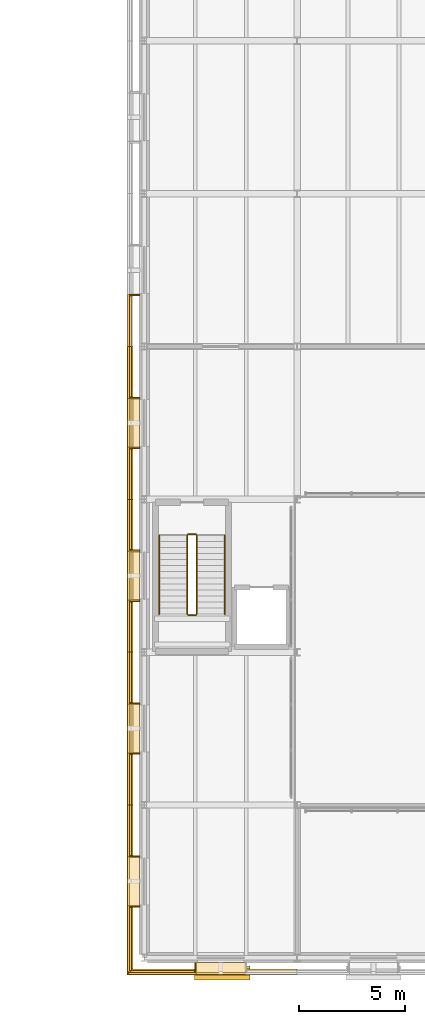
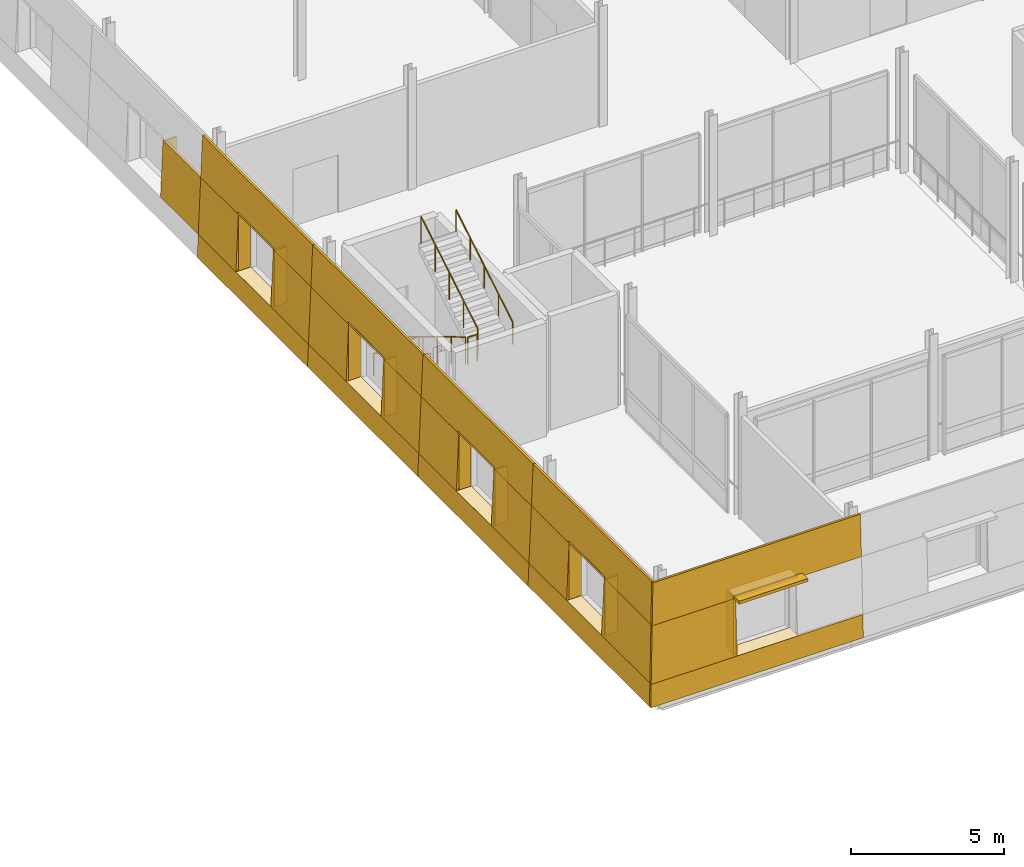
# One storey, part 105 of 121: 40 coverings, 6 railings, 1 shading device.
"""IFC4 building model written with IfcOpenShell, lengths in metres."""

from ifc_helpers import new_model, si_unit, direction, frame, origin, origin_2d, place, context, subcontext, project, spatial, polyline, rectangle, circle, outline, extrude, material, layer, layer_set, type_object, element, save


model = new_model("IFC4")

# Units and contexts
model_context = context("Model", 3, precision=1e-05, world=origin(), true_north=direction((0.0, 1.0)))
body_context = subcontext(model_context, "Body", "Model", "MODEL_VIEW")
ifc_project = project(units=[si_unit("LENGTHUNIT", "METRE"), si_unit("AREAUNIT", "SQUARE_METRE"), si_unit("VOLUMEUNIT", "CUBIC_METRE"), si_unit("PLANEANGLEUNIT", "RADIAN"), si_unit("MASSUNIT", "GRAM", prefix="KILO")], contexts=[model_context])

# Site, building, storey
site_placement = place(None, origin())
site = spatial("IfcSite", under=ifc_project, at=site_placement, CompositionType="ELEMENT")
building_placement = place(site_placement, origin())
building = spatial("IfcBuilding", under=site, at=building_placement, Name="Narikvali Park Central Library", CompositionType="ELEMENT")
storey_placement = place(building_placement, frame((0.0, 0.0, 5.39990234375)))
storey = spatial("IfcBuildingStorey", under=building, at=storey_placement, Name="L01", CompositionType="ELEMENT", Elevation=5.39990234375)

# Coverings
ifc_material_1 = material(Name="White Honed Limestone Cladding", Category="masonry")
ifc_layer_1 = layer(ifc_material_1, 0.0849609375, Name="White Honed Limestone Cladding")
ifc_layer_set_1 = layer_set([ifc_layer_1], Name="White Honed Limestone Cladding")
covering_type_1 = type_object("IfcCoveringType", Name="Battered White Limestone Facade Cladding Panel", PredefinedType="CLADDING", material=ifc_layer_set_1)
covering_1_placement = place(storey_placement, frame((121.5810546875, -0.819091796875, 0.0), z_axis=(0.0, -0.999162409553, 0.040920402453), x_axis=(1.0, 0.0, 0.0)))
element("IfcCovering", 1, at=covering_1_placement, inside=storey, type_object=covering_type_1, Name="V6 L01 S Battered Limestone Spandrel B01", PredefinedType="CLADDING", context=body_context, shape_type="SweptSolid", body=[
    extrude(outline(polyline([(0.0, 0.0), (8.01904296875, 0.0), (8.01904296875, 0.9009010705056333), (0.036865234375, 0.9009010705056333), (0.0, 0.0)])), origin(), (0.0, 0.0, -1.0), 0.0849609375),
])
covering_2_placement = place(storey_placement, frame((121.7099609375, -0.690185546875, 3.150146484375), z_axis=(0.0, -0.999161030138, 0.040954070043), x_axis=(1.0, 0.0, 0.0)))
element("IfcCovering", 2, at=covering_2_placement, inside=storey, type_object=covering_type_1, Name="V6 L01 S Battered Limestone Lintel B01", PredefinedType="CLADDING", context=body_context, shape_type="SweptSolid", body=[
    extrude(outline(polyline([(0.0, 0.0), (7.89013671875, 0.0), (7.89013671875, 1.6512877243838258), (0.0673828125, 1.6512877243838258), (0.0, 0.0)])), origin(), (0.0, 0.0, -1.0), 0.0849609375),
])
covering_3_placement = place(storey_placement, frame((121.617919921875, -0.7822265625, 0.900146484375), z_axis=(0.0, -0.999164352475, 0.040872934124), x_axis=(1.0, 0.0, 0.0)))
element("IfcCovering", 3, at=covering_3_placement, inside=storey, type_object=covering_type_1, Name="V6 L01 S Battered Limestone Jamb Pier L B01", PredefinedType="CLADDING", context=body_context, shape_type="SweptSolid", body=[
    extrude(outline(polyline([(0.0, 0.0), (3.2421875, 0.0), (3.2421875, 2.2518817794363186), (0.092041015625, 2.2518817794363186), (0.0, 0.0)])), origin(), (0.0, 0.0, -1.0), 0.0849609375),
])
covering_4_placement = place(storey_placement, frame((121.617919921875, 31.260009765625, 0.900146484375), z_axis=(-0.999164352475, 0.0, 0.040872934124), x_axis=(0.0, -1.0, 0.0)))
element("IfcCovering", 4, at=covering_4_placement, inside=storey, type_object=covering_type_1, Name="V6 L01 W Battered Limestone Jamb Pier R B03", PredefinedType="CLADDING", context=body_context, shape_type="SweptSolid", body=[
    extrude(outline(polyline([(0.0, 0.0), (2.4599609375, 0.0), (2.4599609375, 2.251881779436319), (0.0, 2.251881779436319), (0.0, 0.0)])), origin(), (0.0, 0.0, -1.0), 0.0849609375),
])
covering_5_placement = place(storey_placement, frame((121.5810546875, 28.800048828125, 0.0), z_axis=(-0.999162409553, 0.0, 0.040920402453), x_axis=(0.0, -1.0, 0.0)))
element("IfcCovering", 5, at=covering_5_placement, inside=storey, type_object=covering_type_1, Name="V6 L01 W Battered Limestone Spandrel B04", PredefinedType="CLADDING", context=body_context, shape_type="SweptSolid", body=[
    extrude(outline(polyline([(0.0, 0.0), (7.199951171875, 0.0), (7.199951171875, 0.9009010705056333), (0.0, 0.9009010705056333), (0.0, 0.0)])), origin(), (0.0, 0.0, -1.0), 0.0849609375),
])
covering_6_placement = place(storey_placement, frame((121.7099609375, 28.800048828125, 3.150146484375), z_axis=(-0.999167069196, 0.0, 0.040806468052), x_axis=(0.0, -1.0, 0.0)))
element("IfcCovering", 6, at=covering_6_placement, inside=storey, type_object=covering_type_1, Name="V6 L01 W Battered Limestone Lintel B04", PredefinedType="CLADDING", context=body_context, shape_type="SweptSolid", body=[
    extrude(outline(polyline([(0.0, 0.0), (7.199951171875, 0.0), (7.199951171875, 1.651277743849336), (0.0, 1.651277743849336), (0.0, 0.0)])), origin(), (0.0, 0.0, -1.0), 0.0849609375),
])
for number, where, z_axis, x_axis, name in (
    (7, (121.617919921875, 28.800048828125, 0.900146484375), (-0.999164352475, 0.0, 0.040872934124), (0.0, -1.0, 0.0), "V6 L01 W Battered Limestone Jamb Pier L B04"),
    (8, (121.617919921875, 24.06005859375, 0.900146484375), (-0.999164352475, 0.0, 0.040872934124), (0.0, -1.0, 0.0), "V6 L01 W Battered Limestone Jamb Pier R B04"),
):
    element("IfcCovering", number, at=place(storey_placement, frame(where, z_axis=z_axis, x_axis=x_axis)), inside=storey, type_object=covering_type_1, Name=name, PredefinedType="CLADDING", context=body_context, shape_type="SweptSolid", body=[
        extrude(outline(polyline([(0.0, 0.0), (2.4599609375, 0.0), (2.4599609375, 2.251881779436319), (0.0, 2.251881779436319), (0.0, 0.0)])), origin(), (0.0, 0.0, -1.0), 0.0849609375),
    ])
covering_7_placement = place(storey_placement, frame((121.5810546875, 21.60009765625, 0.0), z_axis=(-0.999162409553, 0.0, 0.040920402453), x_axis=(0.0, -1.0, 0.0)))
element("IfcCovering", 9, at=covering_7_placement, inside=storey, type_object=covering_type_1, Name="V6 L01 W Battered Limestone Spandrel B05", PredefinedType="CLADDING", context=body_context, shape_type="SweptSolid", body=[
    extrude(outline(polyline([(0.0, 0.0), (7.2001953125, 0.0), (7.2001953125, 0.9009010705056333), (0.0, 0.9009010705056333), (0.0, 0.0)])), origin(), (0.0, 0.0, -1.0), 0.0849609375),
])
covering_8_placement = place(storey_placement, frame((121.7099609375, 21.60009765625, 3.150146484375), z_axis=(-0.999167069196, 0.0, 0.040806468052), x_axis=(0.0, -1.0, 0.0)))
element("IfcCovering", 10, at=covering_8_placement, inside=storey, type_object=covering_type_1, Name="V6 L01 W Battered Limestone Lintel B05", PredefinedType="CLADDING", context=body_context, shape_type="SweptSolid", body=[
    extrude(outline(polyline([(0.0, 0.0), (7.2001953125, 0.0), (7.2001953125, 1.6512777438493358), (0.0, 1.6512777438493358), (0.0, 0.0)])), origin(), (0.0, 0.0, -1.0), 0.0849609375),
])
for number, where, z_axis, x_axis, name in (
    (11, (121.617919921875, 21.60009765625, 0.900146484375), (-0.999164352475, 0.0, 0.040872934124), (0.0, -1.0, 0.0), "V6 L01 W Battered Limestone Jamb Pier L B05"),
    (12, (121.617919921875, 16.860107421875, 0.900146484375), (-0.999164352475, 0.0, 0.040872934124), (0.0, -1.0, 0.0), "V6 L01 W Battered Limestone Jamb Pier R B05"),
):
    element("IfcCovering", number, at=place(storey_placement, frame(where, z_axis=z_axis, x_axis=x_axis)), inside=storey, type_object=covering_type_1, Name=name, PredefinedType="CLADDING", context=body_context, shape_type="SweptSolid", body=[
        extrude(outline(polyline([(0.0, 0.0), (2.460205078125, 0.0), (2.460205078125, 2.2518817794363186), (0.0, 2.2518817794363186), (0.0, 0.0)])), origin(), (0.0, 0.0, -1.0), 0.0849609375),
    ])
covering_9_placement = place(storey_placement, frame((121.5810546875, 14.39990234375, 0.0), z_axis=(-0.999162409553, 0.0, 0.040920402453), x_axis=(0.0, -1.0, 0.0)))
element("IfcCovering", 13, at=covering_9_placement, inside=storey, type_object=covering_type_1, Name="V6 L01 W Battered Limestone Spandrel B06", PredefinedType="CLADDING", context=body_context, shape_type="SweptSolid", body=[
    extrude(outline(polyline([(0.0, 0.0), (7.199951171875, 0.0), (7.199951171875, 0.9009010705056333), (0.0, 0.9009010705056333), (0.0, 0.0)])), origin(), (0.0, 0.0, -1.0), 0.0849609375),
])
covering_10_placement = place(storey_placement, frame((121.7099609375, 14.39990234375, 3.150146484375), z_axis=(-0.999167069196, 0.0, 0.040806468052), x_axis=(0.0, -1.0, 0.0)))
element("IfcCovering", 14, at=covering_10_placement, inside=storey, type_object=covering_type_1, Name="V6 L01 W Battered Limestone Lintel B06", PredefinedType="CLADDING", context=body_context, shape_type="SweptSolid", body=[
    extrude(outline(polyline([(0.0, 0.0), (7.199951171875, 0.0), (7.199951171875, 1.651277743849336), (0.0, 1.651277743849336), (0.0, 0.0)])), origin(), (0.0, 0.0, -1.0), 0.0849609375),
])
for number, where, z_axis, x_axis, name in (
    (15, (121.617919921875, 14.39990234375, 0.900146484375), (-0.999164352475, 0.0, 0.040872934124), (0.0, -1.0, 0.0), "V6 L01 W Battered Limestone Jamb Pier L B06"),
    (16, (121.617919921875, 9.659912109375, 0.900146484375), (-0.999164352475, 0.0, 0.040872934124), (0.0, -1.0, 0.0), "V6 L01 W Battered Limestone Jamb Pier R B06"),
):
    element("IfcCovering", number, at=place(storey_placement, frame(where, z_axis=z_axis, x_axis=x_axis)), inside=storey, type_object=covering_type_1, Name=name, PredefinedType="CLADDING", context=body_context, shape_type="SweptSolid", body=[
        extrude(outline(polyline([(0.0, 0.0), (2.4599609375, 0.0), (2.4599609375, 2.251881779436319), (0.0, 2.251881779436319), (0.0, 0.0)])), origin(), (0.0, 0.0, -1.0), 0.0849609375),
    ])
covering_11_placement = place(storey_placement, frame((121.5810546875, 7.199951171875, 0.0), z_axis=(-0.999162409553, 0.0, 0.040920402453), x_axis=(0.0, -1.0, 0.0)))
element("IfcCovering", 17, at=covering_11_placement, inside=storey, type_object=covering_type_1, Name="V6 L01 W Battered Limestone Spandrel B07", PredefinedType="CLADDING", context=body_context, shape_type="SweptSolid", body=[
    extrude(outline(polyline([(0.0, 0.0), (7.933837890625, 0.0), (7.897216796875, 0.9009010705056332), (0.0, 0.9009010705056332), (0.0, 0.0)])), origin(), (0.0, 0.0, -1.0), 0.0849609375),
])
covering_12_placement = place(storey_placement, frame((121.7099609375, 7.199951171875, 3.150146484375), z_axis=(-0.999167069196, 0.0, 0.040806468052), x_axis=(0.0, -1.0, 0.0)))
element("IfcCovering", 18, at=covering_12_placement, inside=storey, type_object=covering_type_1, Name="V6 L01 W Battered Limestone Lintel B07", PredefinedType="CLADDING", context=body_context, shape_type="SweptSolid", body=[
    extrude(outline(polyline([(0.0, 0.0), (7.804931640625, 0.0), (7.737548828125, 1.651277743849336), (0.0, 1.651277743849336), (0.0, 0.0)])), origin(), (0.0, 0.0, -1.0), 0.0849609375),
])
covering_13_placement = place(storey_placement, frame((121.617919921875, 7.199951171875, 0.900146484375), z_axis=(-0.999164352475, 0.0, 0.040872934124), x_axis=(0.0, -1.0, 0.0)))
element("IfcCovering", 19, at=covering_13_placement, inside=storey, type_object=covering_type_1, Name="V6 L01 W Battered Limestone Jamb Pier L B07", PredefinedType="CLADDING", context=body_context, shape_type="SweptSolid", body=[
    extrude(outline(polyline([(0.0, 0.0), (2.4599609375, 0.0), (2.4599609375, 2.251881779436319), (0.0, 2.251881779436319), (0.0, 0.0)])), origin(), (0.0, 0.0, -1.0), 0.0849609375),
])
covering_14_placement = place(storey_placement, frame((121.617919921875, 2.4599609375, 0.900146484375), z_axis=(-0.999164352475, 0.0, 0.040872934124), x_axis=(0.0, -1.0, 0.0)))
element("IfcCovering", 20, at=covering_14_placement, inside=storey, type_object=covering_type_1, Name="V6 L01 W Battered Limestone Jamb Pier R B07", PredefinedType="CLADDING", context=body_context, shape_type="SweptSolid", body=[
    extrude(outline(polyline([(0.0, 0.0), (3.1572265625, 0.0), (3.06494140625, 2.251881779436319), (0.0, 2.251881779436319), (0.0, 0.0)])), origin(), (0.0, 0.0, -1.0), 0.0849609375),
])

# Shading device
ifc_material_2 = material(Name="Anodised Bronze Aluminium", Category="aluminium")
ifc_layer_2 = layer(ifc_material_2, 0.1201171875, Name="Anodised Bronze Aluminium")
ifc_layer_set_2 = layer_set([ifc_layer_2], Name="Anodised Bronze Aluminium")
shading_device_type = type_object("IfcShadingDeviceType", Name="Bronze Classical Cornice Sun Brise-Soleil 650", PredefinedType="SHUTTER", material=ifc_layer_set_2)
shading_device_placement = place(storey_placement, frame((126.076904296875, -0.719970703125, 3.150146484375), z_axis=(0.0, 0.0, 1.0), x_axis=(1.0, 0.0, 0.0)))
element("IfcShadingDevice", 21, at=shading_device_placement, inside=storey, type_object=shading_device_type, Name="V6 L01 Classical Bronze Brise-Soleil 01", PredefinedType="SHUTTER", context=body_context, shape_type="SweptSolid", body=[
    extrude(rectangle(XDim=2.60009765625, YDim=0.64990234375, at=origin_2d()), origin(), (0.0, 0.0, 1.0), 0.1201171875),
])

# Coverings
ifc_layer_3 = layer(ifc_material_1, 0.080078125, Name="White Honed Limestone Cladding")
ifc_layer_set_3 = layer_set([ifc_layer_3], Name="White Honed Limestone Cladding")
covering_type_2 = type_object("IfcCoveringType", Name="Deep Carved White Limestone Window Reveal", PredefinedType="CLADDING", material=ifc_layer_set_3)
covering_15_placement = place(storey_placement, frame((0.0, 0.0, 3.150146484375)))
element("IfcCovering", 22, at=covering_15_placement, inside=storey, type_object=covering_type_2, Name="Deep Stone Reveal Head V6-RVL-L01-S-B01", PredefinedType="CLADDING", context=body_context, shape_type="SweptSolid", body=[
    extrude(outline(polyline([(124.820068359375, -0.22509765625), (127.179931640625, -0.22509765625), (127.179931640625, -0.690185546875), (124.820068359375, -0.690185546875), (124.820068359375, -0.22509765625)])), origin(), (0.0, 0.0, 1.0), 0.079833984375),
])
covering_16_placement = place(storey_placement, frame((0.0, 0.0, 0.820068359375)))
element("IfcCovering", 23, at=covering_16_placement, inside=storey, type_object=covering_type_2, Name="Deep Stone Reveal Sill V6-RVL-L01-S-B01", PredefinedType="CLADDING", context=body_context, shape_type="SweptSolid", body=[
    extrude(outline(polyline([(124.820068359375, -0.22509765625), (127.179931640625, -0.22509765625), (127.179931640625, -0.7822265625), (124.820068359375, -0.7822265625), (124.820068359375, -0.22509765625)])), origin(), (0.0, 0.0, 1.0), 0.080078125),
])
covering_17_placement = place(storey_placement, frame((0.0, 0.0, 0.900146484375)))
element("IfcCovering", 24, at=covering_17_placement, inside=storey, type_object=covering_type_2, Name="Deep Stone Reveal Jamb L V6-RVL-L01-S-B01", PredefinedType="CLADDING", context=body_context, shape_type="SweptSolid", body=[
    extrude(outline(polyline([(124.780029296875, -0.22509765625), (124.860107421875, -0.22509765625), (124.860107421875, -0.690185546875), (124.780029296875, -0.690185546875), (124.780029296875, -0.22509765625)])), origin(), (0.0, 0.0, 1.0), 2.25),
])
covering_18_placement = place(storey_placement, frame((0.0, 0.0, 0.900146484375)))
element("IfcCovering", 25, at=covering_18_placement, inside=storey, type_object=covering_type_2, Name="Deep Stone Reveal Jamb R V6-RVL-L01-W-B03", PredefinedType="CLADDING", context=body_context, shape_type="SweptSolid", body=[
    extrude(outline(polyline([(122.175048828125, 31.260009765625), (122.175048828125, 31.179931640625), (121.7099609375, 31.179931640625), (121.7099609375, 31.260009765625), (122.175048828125, 31.260009765625)])), origin(), (0.0, 0.0, 1.0), 2.25),
])
covering_19_placement = place(storey_placement, frame((0.0, 0.0, 3.150146484375)))
element("IfcCovering", 26, at=covering_19_placement, inside=storey, type_object=covering_type_2, Name="Deep Stone Reveal Head V6-RVL-L01-W-B04", PredefinedType="CLADDING", context=body_context, shape_type="SweptSolid", body=[
    extrude(outline(polyline([(122.175048828125, 26.3798828125), (122.175048828125, 24.02001953125), (121.7099609375, 24.02001953125), (121.7099609375, 26.3798828125), (122.175048828125, 26.3798828125)])), origin(), (0.0, 0.0, 1.0), 0.079833984375),
])
covering_20_placement = place(storey_placement, frame((0.0, 0.0, 0.820068359375)))
element("IfcCovering", 27, at=covering_20_placement, inside=storey, type_object=covering_type_2, Name="Deep Stone Reveal Sill V6-RVL-L01-W-B04", PredefinedType="CLADDING", context=body_context, shape_type="SweptSolid", body=[
    extrude(outline(polyline([(122.175048828125, 26.3798828125), (122.175048828125, 24.02001953125), (121.617919921875, 24.02001953125), (121.617919921875, 26.3798828125), (122.175048828125, 26.3798828125)])), origin(), (0.0, 0.0, 1.0), 0.080078125),
])
covering_21_placement = place(storey_placement, frame((0.0, 0.0, 0.900146484375)))
element("IfcCovering", 28, at=covering_21_placement, inside=storey, type_object=covering_type_2, Name="Deep Stone Reveal Jamb L V6-RVL-L01-W-B04", PredefinedType="CLADDING", context=body_context, shape_type="SweptSolid", body=[
    extrude(outline(polyline([(122.175048828125, 26.419921875), (122.175048828125, 26.340087890625), (121.7099609375, 26.340087890625), (121.7099609375, 26.419921875), (122.175048828125, 26.419921875)])), origin(), (0.0, 0.0, 1.0), 2.25),
])
covering_22_placement = place(storey_placement, frame((0.0, 0.0, 0.900146484375)))
element("IfcCovering", 29, at=covering_22_placement, inside=storey, type_object=covering_type_2, Name="Deep Stone Reveal Jamb R V6-RVL-L01-W-B04", PredefinedType="CLADDING", context=body_context, shape_type="SweptSolid", body=[
    extrude(outline(polyline([(122.175048828125, 24.06005859375), (122.175048828125, 23.97998046875), (121.7099609375, 23.97998046875), (121.7099609375, 24.06005859375), (122.175048828125, 24.06005859375)])), origin(), (0.0, 0.0, 1.0), 2.25),
])
covering_23_placement = place(storey_placement, frame((0.0, 0.0, 3.150146484375)))
element("IfcCovering", 30, at=covering_23_placement, inside=storey, type_object=covering_type_2, Name="Deep Stone Reveal Head V6-RVL-L01-W-B05", PredefinedType="CLADDING", context=body_context, shape_type="SweptSolid", body=[
    extrude(outline(polyline([(122.175048828125, 19.179931640625), (122.175048828125, 16.820068359375), (121.7099609375, 16.820068359375), (121.7099609375, 19.179931640625), (122.175048828125, 19.179931640625)])), origin(), (0.0, 0.0, 1.0), 0.079833984375),
])
covering_24_placement = place(storey_placement, frame((0.0, 0.0, 0.820068359375)))
element("IfcCovering", 31, at=covering_24_placement, inside=storey, type_object=covering_type_2, Name="Deep Stone Reveal Sill V6-RVL-L01-W-B05", PredefinedType="CLADDING", context=body_context, shape_type="SweptSolid", body=[
    extrude(outline(polyline([(122.175048828125, 19.179931640625), (122.175048828125, 16.820068359375), (121.617919921875, 16.820068359375), (121.617919921875, 19.179931640625), (122.175048828125, 19.179931640625)])), origin(), (0.0, 0.0, 1.0), 0.080078125),
])
covering_25_placement = place(storey_placement, frame((0.0, 0.0, 0.900146484375)))
element("IfcCovering", 32, at=covering_25_placement, inside=storey, type_object=covering_type_2, Name="Deep Stone Reveal Jamb L V6-RVL-L01-W-B05", PredefinedType="CLADDING", context=body_context, shape_type="SweptSolid", body=[
    extrude(outline(polyline([(122.175048828125, 19.219970703125), (122.175048828125, 19.139892578125), (121.7099609375, 19.139892578125), (121.7099609375, 19.219970703125), (122.175048828125, 19.219970703125)])), origin(), (0.0, 0.0, 1.0), 2.25),
])
covering_26_placement = place(storey_placement, frame((0.0, 0.0, 0.900146484375)))
element("IfcCovering", 33, at=covering_26_placement, inside=storey, type_object=covering_type_2, Name="Deep Stone Reveal Jamb R V6-RVL-L01-W-B05", PredefinedType="CLADDING", context=body_context, shape_type="SweptSolid", body=[
    extrude(outline(polyline([(122.175048828125, 16.860107421875), (122.175048828125, 16.780029296875), (121.7099609375, 16.780029296875), (121.7099609375, 16.860107421875), (122.175048828125, 16.860107421875)])), origin(), (0.0, 0.0, 1.0), 2.25),
])
covering_27_placement = place(storey_placement, frame((0.0, 0.0, 3.150146484375)))
element("IfcCovering", 34, at=covering_27_placement, inside=storey, type_object=covering_type_2, Name="Deep Stone Reveal Head V6-RVL-L01-W-B06", PredefinedType="CLADDING", context=body_context, shape_type="SweptSolid", body=[
    extrude(outline(polyline([(122.175048828125, 11.97998046875), (122.175048828125, 9.6201171875), (121.7099609375, 9.6201171875), (121.7099609375, 11.97998046875), (122.175048828125, 11.97998046875)])), origin(), (0.0, 0.0, 1.0), 0.079833984375),
])
covering_28_placement = place(storey_placement, frame((0.0, 0.0, 0.820068359375)))
element("IfcCovering", 35, at=covering_28_placement, inside=storey, type_object=covering_type_2, Name="Deep Stone Reveal Sill V6-RVL-L01-W-B06", PredefinedType="CLADDING", context=body_context, shape_type="SweptSolid", body=[
    extrude(outline(polyline([(122.175048828125, 11.97998046875), (122.175048828125, 9.6201171875), (121.617919921875, 9.6201171875), (121.617919921875, 11.97998046875), (122.175048828125, 11.97998046875)])), origin(), (0.0, 0.0, 1.0), 0.080078125),
])
covering_29_placement = place(storey_placement, frame((0.0, 0.0, 0.900146484375)))
element("IfcCovering", 36, at=covering_29_placement, inside=storey, type_object=covering_type_2, Name="Deep Stone Reveal Jamb L V6-RVL-L01-W-B06", PredefinedType="CLADDING", context=body_context, shape_type="SweptSolid", body=[
    extrude(outline(polyline([(122.175048828125, 12.02001953125), (122.175048828125, 11.93994140625), (121.7099609375, 11.93994140625), (121.7099609375, 12.02001953125), (122.175048828125, 12.02001953125)])), origin(), (0.0, 0.0, 1.0), 2.25),
])
covering_30_placement = place(storey_placement, frame((0.0, 0.0, 0.900146484375)))
element("IfcCovering", 37, at=covering_30_placement, inside=storey, type_object=covering_type_2, Name="Deep Stone Reveal Jamb R V6-RVL-L01-W-B06", PredefinedType="CLADDING", context=body_context, shape_type="SweptSolid", body=[
    extrude(outline(polyline([(122.175048828125, 9.659912109375), (122.175048828125, 9.580078125), (121.7099609375, 9.580078125), (121.7099609375, 9.659912109375), (122.175048828125, 9.659912109375)])), origin(), (0.0, 0.0, 1.0), 2.25),
])
covering_31_placement = place(storey_placement, frame((0.0, 0.0, 3.150146484375)))
element("IfcCovering", 38, at=covering_31_placement, inside=storey, type_object=covering_type_2, Name="Deep Stone Reveal Head V6-RVL-L01-W-B07", PredefinedType="CLADDING", context=body_context, shape_type="SweptSolid", body=[
    extrude(outline(polyline([(122.175048828125, 4.780029296875), (122.175048828125, 2.419921875), (121.7099609375, 2.419921875), (121.7099609375, 4.780029296875), (122.175048828125, 4.780029296875)])), origin(), (0.0, 0.0, 1.0), 0.079833984375),
])
covering_32_placement = place(storey_placement, frame((0.0, 0.0, 0.820068359375)))
element("IfcCovering", 39, at=covering_32_placement, inside=storey, type_object=covering_type_2, Name="Deep Stone Reveal Sill V6-RVL-L01-W-B07", PredefinedType="CLADDING", context=body_context, shape_type="SweptSolid", body=[
    extrude(outline(polyline([(122.175048828125, 4.780029296875), (122.175048828125, 2.419921875), (121.617919921875, 2.419921875), (121.617919921875, 4.780029296875), (122.175048828125, 4.780029296875)])), origin(), (0.0, 0.0, 1.0), 0.080078125),
])
covering_33_placement = place(storey_placement, frame((0.0, 0.0, 0.900146484375)))
element("IfcCovering", 40, at=covering_33_placement, inside=storey, type_object=covering_type_2, Name="Deep Stone Reveal Jamb L V6-RVL-L01-W-B07", PredefinedType="CLADDING", context=body_context, shape_type="SweptSolid", body=[
    extrude(outline(polyline([(122.175048828125, 4.820068359375), (122.175048828125, 4.739990234375), (121.7099609375, 4.739990234375), (121.7099609375, 4.820068359375), (122.175048828125, 4.820068359375)])), origin(), (0.0, 0.0, 1.0), 2.25),
])
covering_34_placement = place(storey_placement, frame((0.0, 0.0, 0.900146484375)))
element("IfcCovering", 41, at=covering_34_placement, inside=storey, type_object=covering_type_2, Name="Deep Stone Reveal Jamb R V6-RVL-L01-W-B07", PredefinedType="CLADDING", context=body_context, shape_type="SweptSolid", body=[
    extrude(outline(polyline([(122.175048828125, 2.4599609375), (122.175048828125, 2.3798828125), (121.7099609375, 2.3798828125), (121.7099609375, 2.4599609375), (122.175048828125, 2.4599609375)])), origin(), (0.0, 0.0, 1.0), 2.25),
])

# Railings
ifc_material_3 = material(Name="Brushed Stainless Steel S355", Category="steel")
ifc_layer_4 = layer(ifc_material_3, 0.044921875, Name="Brushed Stainless Steel S355")
ifc_layer_set_4 = layer_set([ifc_layer_4], Name="Brushed Stainless Steel S355")
railing_type_1 = type_object("IfcRailingType", Name="Stair Tubular Steel Handrail 900", PredefinedType="HANDRAIL", material=ifc_layer_set_4)
railing_1_placement = place(storey_placement, frame((123.10009765625, 19.89990234375, 0.171630859375)))
element("IfcRailing", 42, at=railing_1_placement, inside=storey, type_object=railing_type_1, Name="L01 ST-11 stair handrail 1", PredefinedType="HANDRAIL", context=body_context, shape_type="SweptSolid", body=[
    extrude(circle(Radius=0.02392578125, at=origin_2d()), frame((0.0, 0.0, 0.8759765625), z_axis=(0.0, -0.856919398105, 0.515450429384), x_axis=(1.0, 0.0, 0.0)), (0.0, 0.0, 1.0), 4.323486328125),
    extrude(circle(Radius=0.02099609375, at=origin_2d()), origin(), (0.0, 0.0, 1.0), 0.851806640625),
    extrude(circle(Radius=0.02099609375, at=origin_2d()), frame((0.0, -0.92626953125, 0.55712890625)), (0.0, 0.0, 1.0), 0.851806640625),
    extrude(circle(Radius=0.02099609375, at=origin_2d()), frame((0.0, -1.8525390625, 1.1142578125)), (0.0, 0.0, 1.0), 0.851806640625),
    extrude(circle(Radius=0.02099609375, at=origin_2d()), frame((0.0, -2.778564453125, 1.67138671875)), (0.0, 0.0, 1.0), 0.851806640625),
    extrude(circle(Radius=0.02099609375, at=origin_2d()), frame((0.0, -3.704833984375, 2.228515625)), (0.0, 0.0, 1.0), 0.851806640625),
])
railing_2_placement = place(storey_placement, frame((126.199951171875, 16.195068359375, 2.571533203125)))
element("IfcRailing", 43, at=railing_2_placement, inside=storey, type_object=railing_type_1, Name="L01 ST-11 stair handrail 2", PredefinedType="HANDRAIL", context=body_context, shape_type="SweptSolid", body=[
    extrude(circle(Radius=0.02392578125, at=origin_2d()), frame((0.0, 0.0, 0.8759765625), z_axis=(0.0, 0.856919398105, 0.515450429384), x_axis=(-1.0, 0.0, 0.0)), (0.0, 0.0, 1.0), 4.323486328125),
    extrude(circle(Radius=0.02099609375, at=origin_2d()), origin(), (0.0, 0.0, 1.0), 0.851806640625),
    extrude(circle(Radius=0.02099609375, at=origin_2d()), frame((0.0, 0.92626953125, 0.55712890625)), (0.0, 0.0, 1.0), 0.851806640625),
    extrude(circle(Radius=0.02099609375, at=origin_2d()), frame((0.0, 1.8525390625, 1.1142578125)), (0.0, 0.0, 1.0), 0.851806640625),
    extrude(circle(Radius=0.02099609375, at=origin_2d()), frame((0.0, 2.778564453125, 1.67138671875)), (0.0, 0.0, 1.0), 0.851806640625),
    extrude(circle(Radius=0.02099609375, at=origin_2d()), frame((0.0, 3.704833984375, 2.228515625)), (0.0, 0.0, 1.0), 0.851806640625),
])
ifc_material_4 = material(Name="Powder-Coated Steel S275", Category="steel")
ifc_layer_5 = layer(ifc_material_4, 0.050048828125, Name="Powder-Coated Steel S275")
ifc_layer_set_5 = layer_set([ifc_layer_5], Name="Powder-Coated Steel S275")
railing_type_2 = type_object("IfcRailingType", Name="Stair Well Steel Guardrail 1100", PredefinedType="GUARDRAIL", material=ifc_layer_set_5)
railing_3_placement = place(storey_placement, frame((124.419921875, 19.89990234375, 0.171630859375)))
element("IfcRailing", 44, at=railing_3_placement, inside=storey, type_object=railing_type_2, Name="L01 ST-11 stair guard 1", PredefinedType="GUARDRAIL", context=body_context, shape_type="SweptSolid", body=[
    extrude(circle(Radius=0.02392578125, at=origin_2d()), frame((0.0, 0.0, 1.076171875), z_axis=(0.0, -0.856919398105, 0.515450429384), x_axis=(1.0, 0.0, 0.0)), (0.0, 0.0, 1.0), 4.323486328125),
    extrude(circle(Radius=0.02099609375, at=origin_2d()), origin(), (0.0, 0.0, 1.0), 1.052001953125),
    extrude(circle(Radius=0.02099609375, at=origin_2d()), frame((0.0, -0.92626953125, 0.55712890625)), (0.0, 0.0, 1.0), 1.052001953125),
    extrude(circle(Radius=0.02099609375, at=origin_2d()), frame((0.0, -1.8525390625, 1.1142578125)), (0.0, 0.0, 1.0), 1.052001953125),
    extrude(circle(Radius=0.02099609375, at=origin_2d()), frame((0.0, -2.778564453125, 1.67138671875)), (0.0, 0.0, 1.0), 1.052001953125),
    extrude(circle(Radius=0.02099609375, at=origin_2d()), frame((0.0, -3.704833984375, 2.228515625)), (0.0, 0.0, 1.0), 1.052001953125),
])
railing_4_placement = place(storey_placement, frame((124.469970703125, 16.14501953125, 2.400146484375)))
element("IfcRailing", 45, at=railing_4_placement, inside=storey, type_object=railing_type_2, Name="L01 ST-11 stair guard 2", PredefinedType="GUARDRAIL", context=body_context, shape_type="SweptSolid", body=[
    extrude(circle(Radius=0.02392578125, at=origin_2d()), frame((0.0, 0.0, 1.076171875), z_axis=(1.0, 0.0, 0.0), x_axis=(0.0, 1.0, 0.0)), (0.0, 0.0, 1.0), 0.360107421875),
    extrude(circle(Radius=0.02099609375, at=origin_2d()), origin(), (0.0, 0.0, 1.0), 1.052001953125),
    extrude(circle(Radius=0.02099609375, at=origin_2d()), frame((0.360107421875, 0.0, 0.0)), (0.0, 0.0, 1.0), 1.052001953125),
])
railing_5_placement = place(storey_placement, frame((124.8798828125, 16.195068359375, 2.571533203125)))
element("IfcRailing", 46, at=railing_5_placement, inside=storey, type_object=railing_type_2, Name="L01 ST-11 stair guard 3", PredefinedType="GUARDRAIL", context=body_context, shape_type="SweptSolid", body=[
    extrude(circle(Radius=0.02392578125, at=origin_2d()), frame((0.0, 0.0, 1.076171875), z_axis=(0.0, 0.856919398105, 0.515450429384), x_axis=(-1.0, 0.0, 0.0)), (0.0, 0.0, 1.0), 4.323486328125),
    extrude(circle(Radius=0.02099609375, at=origin_2d()), origin(), (0.0, 0.0, 1.0), 1.052001953125),
    extrude(circle(Radius=0.02099609375, at=origin_2d()), frame((0.0, 0.92626953125, 0.55712890625)), (0.0, 0.0, 1.0), 1.052001953125),
    extrude(circle(Radius=0.02099609375, at=origin_2d()), frame((0.0, 1.8525390625, 1.1142578125)), (0.0, 0.0, 1.0), 1.052001953125),
    extrude(circle(Radius=0.02099609375, at=origin_2d()), frame((0.0, 2.778564453125, 1.67138671875)), (0.0, 0.0, 1.0), 1.052001953125),
    extrude(circle(Radius=0.02099609375, at=origin_2d()), frame((0.0, 3.704833984375, 2.228515625)), (0.0, 0.0, 1.0), 1.052001953125),
])
railing_6_placement = place(storey_placement, frame((124.469970703125, 19.949951171875, 0.0)))
element("IfcRailing", 47, at=railing_6_placement, inside=storey, type_object=railing_type_2, Name="L01 ST-11 stair guard 4", PredefinedType="GUARDRAIL", context=body_context, shape_type="SweptSolid", body=[
    extrude(circle(Radius=0.02392578125, at=origin_2d()), frame((0.0, 0.0, 1.076171875), z_axis=(1.0, 0.0, 0.0), x_axis=(0.0, 1.0, 0.0)), (0.0, 0.0, 1.0), 0.360107421875),
    extrude(circle(Radius=0.02099609375, at=origin_2d()), origin(), (0.0, 0.0, 1.0), 1.052001953125),
    extrude(circle(Radius=0.02099609375, at=origin_2d()), frame((0.360107421875, 0.0, 0.0)), (0.0, 0.0, 1.0), 1.052001953125),
])

save(model, "model.ifc")
